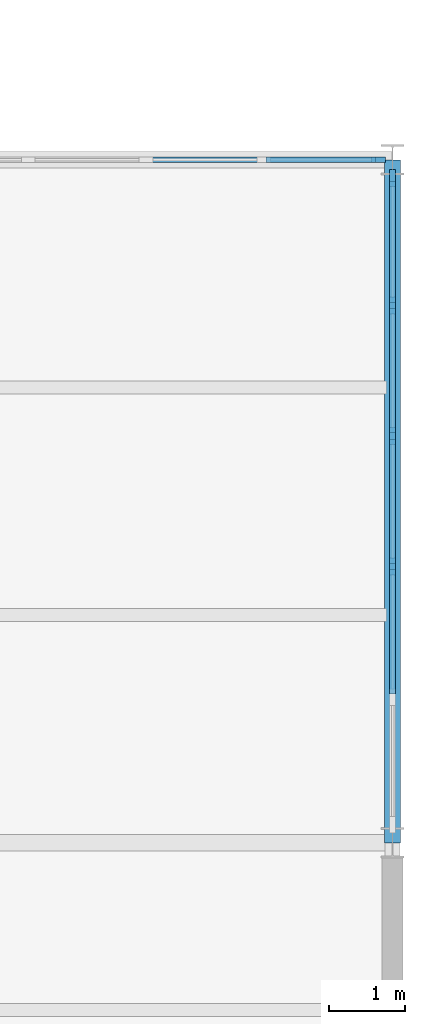
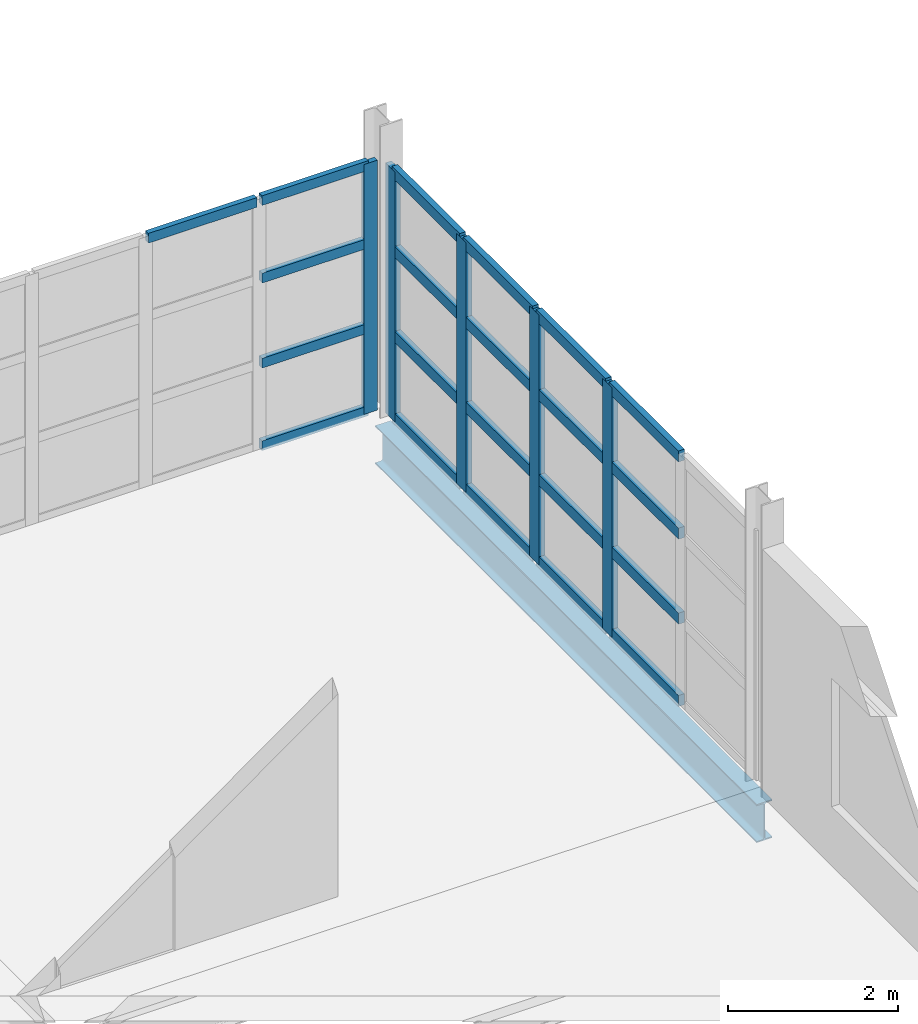
# One storey, part 10 of 38: 26 members, 1 beam, 2 elements without a shape of their own.
"""IFC4 building model written with IfcOpenShell, lengths in metres."""

from ifc_helpers import new_model, si_unit, direction, frame, origin, origin_2d, place, context, subcontext, project, spatial, rectangle, i_section, extrude, material, layer, layer_set, material_profile, profile_set, type_object, element, aggregate, save


model = new_model("IFC4")

# Units and contexts
model_context = context("Model", 3, precision=1e-05, world=origin(), true_north=direction((0.0, 1.0)))
body_context = subcontext(model_context, "Body", "Model", "MODEL_VIEW")
ifc_project = project(units=[si_unit("LENGTHUNIT", "METRE"), si_unit("AREAUNIT", "SQUARE_METRE"), si_unit("VOLUMEUNIT", "CUBIC_METRE"), si_unit("PLANEANGLEUNIT", "RADIAN"), si_unit("MASSUNIT", "GRAM", prefix="KILO")], contexts=[model_context])

# Site, building, storey
site_placement = place(None, origin())
site = spatial("IfcSite", under=ifc_project, at=site_placement, CompositionType="ELEMENT")
building_placement = place(site_placement, origin())
building = spatial("IfcBuilding", under=site, at=building_placement, Name="Zarnetskaya Central Station", CompositionType="ELEMENT")
storey_placement = place(building_placement, frame((0.0, 0.0, 18.60009765625)))
storey = spatial("IfcBuildingStorey", under=building, at=storey_placement, Name="L04", CompositionType="ELEMENT", Elevation=18.60009765625)

# Curtain wall, member
ifc_material_1 = material(Name="Low-E insulated glass", Category="glass")
ifc_layer_1 = layer(ifc_material_1, 0.16796875, Name="Low-E insulated glass", Category="glass")
ifc_layer_set_1 = layer_set([ifc_layer_1], Name="Low-E insulated glass")
curtain_wall_type_1 = type_object("IfcCurtainWallType", Name="CW-SYS-08", PredefinedType="USERDEFINED", material=ifc_layer_set_1)
curtain_wall_1_placement = place(storey_placement, origin())
curtain_wall_1 = element("IfcCurtainWall", 1, at=curtain_wall_1_placement, inside=storey, type_object=curtain_wall_type_1, Name="Curtain wall CW-L04-055", ObjectType="CURTAIN WALL", PredefinedType="USERDEFINED")
ifc_material_2 = material(Name="Anodised aluminium", Category="aluminium")
ifc_material_profile_1 = material_profile(ifc_material_2, rectangle(XDim=0.070068359375, YDim=0.179931640625, at=origin_2d()), Name="ALU MULL 70x180")
ifc_profile_set_1 = profile_set([ifc_material_profile_1], Name="Anodised aluminium")
member_type_1 = type_object("IfcMemberType", Name="CW-MULL-180", PredefinedType="MULLION", material=ifc_profile_set_1)
member_1_placement = place(storey_placement, frame((47.81494140625, 22.199951171875, 0.0), z_axis=(0.0, 0.0, 1.0), x_axis=(0.0, 1.0, 0.0)))
member_1 = element("IfcMember", 2, at=member_1_placement, type_object=member_type_1, Name="CW-16 mullion 7", PredefinedType="MULLION", context=body_context, shape_type="SweptSolid", body=[
    extrude(rectangle(XDim=0.070068359375, YDim=0.179931640625, at=origin_2d()), origin(), (0.0, 0.0, 1.0), 3.599853515625),
])

# Curtain wall, members
ifc_layer_2 = layer(ifc_material_1, 0.159912109375, Name="Low-E insulated glass", Category="glass")
ifc_layer_set_2 = layer_set([ifc_layer_2], Name="Low-E insulated glass")
curtain_wall_type_2 = type_object("IfcCurtainWallType", Name="CW-SYS-06", PredefinedType="USERDEFINED", material=ifc_layer_set_2)
curtain_wall_2_placement = place(storey_placement, origin())
curtain_wall_2 = element("IfcCurtainWall", 3, at=curtain_wall_2_placement, inside=storey, type_object=curtain_wall_type_2, Name="Curtain wall CW-L04-056", ObjectType="CURTAIN WALL", PredefinedType="USERDEFINED")
ifc_material_profile_2 = material_profile(ifc_material_2, rectangle(XDim=0.080078125, YDim=0.219970703125, at=origin_2d()), Name="ALU MULL 80x220")
ifc_profile_set_2 = profile_set([ifc_material_profile_2], Name="Anodised aluminium")
member_type_2 = type_object("IfcMemberType", Name="CW-MULL-220", PredefinedType="MULLION", material=ifc_profile_set_2)
member_2_placement = place(storey_placement, frame((48.0, 21.9599609375, 0.0), z_axis=(0.0, 0.0, 1.0), x_axis=(1.0, 0.0, 0.0)))
member_2 = element("IfcMember", 4, at=member_2_placement, type_object=member_type_2, Name="CW-02 mullion 1", PredefinedType="MULLION", context=body_context, shape_type="SweptSolid", body=[
    extrude(rectangle(XDim=0.080078125, YDim=0.219970703125, at=origin_2d()), origin(), (0.0, 0.0, 1.0), 3.599853515625),
])
member_3_placement = place(storey_placement, frame((48.0, 20.280029296875, 0.0), z_axis=(0.0, 0.0, 1.0), x_axis=(1.0, 0.0, 0.0)))
member_3 = element("IfcMember", 5, at=member_3_placement, type_object=member_type_2, Name="CW-02 mullion 2", PredefinedType="MULLION", context=body_context, shape_type="SweptSolid", body=[
    extrude(rectangle(XDim=0.080078125, YDim=0.219970703125, at=origin_2d()), origin(), (0.0, 0.0, 1.0), 3.599853515625),
])
member_4_placement = place(storey_placement, frame((48.0, 18.56005859375, 0.0), z_axis=(0.0, 0.0, 1.0), x_axis=(1.0, 0.0, 0.0)))
member_4 = element("IfcMember", 6, at=member_4_placement, type_object=member_type_2, Name="CW-02 mullion 3", PredefinedType="MULLION", context=body_context, shape_type="SweptSolid", body=[
    extrude(rectangle(XDim=0.080078125, YDim=0.219970703125, at=origin_2d()), origin(), (0.0, 0.0, 1.0), 3.599853515625),
])
member_5_placement = place(storey_placement, frame((48.0, 16.840087890625, 0.0), z_axis=(0.0, 0.0, 1.0), x_axis=(1.0, 0.0, 0.0)))
member_5 = element("IfcMember", 7, at=member_5_placement, type_object=member_type_2, Name="CW-02 mullion 4", PredefinedType="MULLION", context=body_context, shape_type="SweptSolid", body=[
    extrude(rectangle(XDim=0.080078125, YDim=0.219970703125, at=origin_2d()), origin(), (0.0, 0.0, 1.0), 3.599853515625),
])

# Member
ifc_material_profile_3 = material_profile(ifc_material_2, rectangle(XDim=0.070068359375, YDim=0.139892578125, at=origin_2d()), Name="ALU TRAN 70x140")
ifc_profile_set_3 = profile_set([ifc_material_profile_3], Name="Anodised aluminium")
member_type_3 = type_object("IfcMemberType", Name="CW-TRAN-140", PredefinedType="USERDEFINED", material=ifc_profile_set_3)
member_6_placement = place(storey_placement, frame((44.784912109375, 22.199951171875, 3.56494140625), z_axis=(1.0, 0.0, 0.0), x_axis=(0.0, 1.0, 0.0)))
member_6 = element("IfcMember", 8, at=member_6_placement, type_object=member_type_3, Name="CW-16 transom 5.4", ObjectType="TRANSOM", PredefinedType="USERDEFINED", context=body_context, shape_type="SweptSolid", body=[
    extrude(rectangle(XDim=0.070068359375, YDim=0.139892578125, at=origin_2d()), origin(), (0.0, 0.0, 1.0), 1.47998046875),
])

member_7_placement = place(storey_placement, frame((46.3349609375, 22.199951171875, 0.034912109375), z_axis=(1.0, 0.0, 0.0), x_axis=(0.0, 1.0, 0.0)))
member_7 = element("IfcMember", 9, at=member_7_placement, type_object=member_type_3, Name="CW-16 transom 6.1", ObjectType="TRANSOM", PredefinedType="USERDEFINED", context=body_context, shape_type="SweptSolid", body=[
    extrude(rectangle(XDim=0.070068359375, YDim=0.139892578125, at=origin_2d()), origin(), (0.0, 0.0, 1.0), 1.445068359375),
])

member_8_placement = place(storey_placement, frame((46.3349609375, 22.199951171875, 1.223876953125), z_axis=(1.0, 0.0, 0.0), x_axis=(0.0, 1.0, 0.0)))
member_8 = element("IfcMember", 10, at=member_8_placement, type_object=member_type_3, Name="CW-16 transom 6.2", ObjectType="TRANSOM", PredefinedType="USERDEFINED", context=body_context, shape_type="SweptSolid", body=[
    extrude(rectangle(XDim=0.070068359375, YDim=0.139892578125, at=origin_2d()), origin(), (0.0, 0.0, 1.0), 1.445068359375),
])

member_9_placement = place(storey_placement, frame((46.3349609375, 22.199951171875, 2.447998046875), z_axis=(1.0, 0.0, 0.0), x_axis=(0.0, 1.0, 0.0)))
member_9 = element("IfcMember", 11, at=member_9_placement, type_object=member_type_3, Name="CW-16 transom 6.3", ObjectType="TRANSOM", PredefinedType="USERDEFINED", context=body_context, shape_type="SweptSolid", body=[
    extrude(rectangle(XDim=0.070068359375, YDim=0.139892578125, at=origin_2d()), origin(), (0.0, 0.0, 1.0), 1.445068359375),
])

member_10_placement = place(storey_placement, frame((46.3349609375, 22.199951171875, 3.56494140625), z_axis=(1.0, 0.0, 0.0), x_axis=(0.0, 1.0, 0.0)))
member_10 = element("IfcMember", 12, at=member_10_placement, type_object=member_type_3, Name="CW-16 transom 6.4", ObjectType="TRANSOM", PredefinedType="USERDEFINED", context=body_context, shape_type="SweptSolid", body=[
    extrude(rectangle(XDim=0.070068359375, YDim=0.139892578125, at=origin_2d()), origin(), (0.0, 0.0, 1.0), 1.445068359375),
])

aggregate(curtain_wall_1, [member_1, member_6, member_7, member_8, member_9, member_10])

ifc_material_profile_4 = material_profile(ifc_material_2, rectangle(XDim=0.080078125, YDim=0.159912109375, at=origin_2d()), Name="ALU TRAN 80x160")
ifc_profile_set_4 = profile_set([ifc_material_profile_4], Name="Anodised aluminium")
member_type_4 = type_object("IfcMemberType", Name="CW-TRAN-160", PredefinedType="USERDEFINED", material=ifc_profile_set_4)
member_11_placement = place(storey_placement, frame((48.0, 21.919921875, 0.039794921875), z_axis=(0.0, -1.0, 0.0), x_axis=(1.0, 0.0, 0.0)))
member_11 = element("IfcMember", 13, at=member_11_placement, type_object=member_type_4, Name="CW-02 transom 1.1", ObjectType="TRANSOM", PredefinedType="USERDEFINED", context=body_context, shape_type="SweptSolid", body=[
    extrude(rectangle(XDim=0.080078125, YDim=0.159912109375, at=origin_2d()), origin(), (0.0, 0.0, 1.0), 1.599853515625),
])

member_12_placement = place(storey_placement, frame((48.0, 21.919921875, 1.223876953125), z_axis=(0.0, -1.0, 0.0), x_axis=(1.0, 0.0, 0.0)))
member_12 = element("IfcMember", 14, at=member_12_placement, type_object=member_type_4, Name="CW-02 transom 1.2", ObjectType="TRANSOM", PredefinedType="USERDEFINED", context=body_context, shape_type="SweptSolid", body=[
    extrude(rectangle(XDim=0.080078125, YDim=0.159912109375, at=origin_2d()), origin(), (0.0, 0.0, 1.0), 1.599853515625),
])

member_13_placement = place(storey_placement, frame((48.0, 21.919921875, 2.447998046875), z_axis=(0.0, -1.0, 0.0), x_axis=(1.0, 0.0, 0.0)))
member_13 = element("IfcMember", 15, at=member_13_placement, type_object=member_type_4, Name="CW-02 transom 1.3", ObjectType="TRANSOM", PredefinedType="USERDEFINED", context=body_context, shape_type="SweptSolid", body=[
    extrude(rectangle(XDim=0.080078125, YDim=0.159912109375, at=origin_2d()), origin(), (0.0, 0.0, 1.0), 1.599853515625),
])

member_14_placement = place(storey_placement, frame((48.0, 21.919921875, 3.559814453125), z_axis=(0.0, -1.0, 0.0), x_axis=(1.0, 0.0, 0.0)))
member_14 = element("IfcMember", 16, at=member_14_placement, type_object=member_type_4, Name="CW-02 transom 1.4", ObjectType="TRANSOM", PredefinedType="USERDEFINED", context=body_context, shape_type="SweptSolid", body=[
    extrude(rectangle(XDim=0.080078125, YDim=0.159912109375, at=origin_2d()), origin(), (0.0, 0.0, 1.0), 1.599853515625),
])

member_15_placement = place(storey_placement, frame((48.0, 20.239990234375, 0.039794921875), z_axis=(0.0, -1.0, 0.0), x_axis=(1.0, 0.0, 0.0)))
member_15 = element("IfcMember", 17, at=member_15_placement, type_object=member_type_4, Name="CW-02 transom 2.1", ObjectType="TRANSOM", PredefinedType="USERDEFINED", context=body_context, shape_type="SweptSolid", body=[
    extrude(rectangle(XDim=0.080078125, YDim=0.159912109375, at=origin_2d()), origin(), (0.0, 0.0, 1.0), 1.639892578125),
])

member_16_placement = place(storey_placement, frame((48.0, 20.239990234375, 1.223876953125), z_axis=(0.0, -1.0, 0.0), x_axis=(1.0, 0.0, 0.0)))
member_16 = element("IfcMember", 18, at=member_16_placement, type_object=member_type_4, Name="CW-02 transom 2.2", ObjectType="TRANSOM", PredefinedType="USERDEFINED", context=body_context, shape_type="SweptSolid", body=[
    extrude(rectangle(XDim=0.080078125, YDim=0.159912109375, at=origin_2d()), origin(), (0.0, 0.0, 1.0), 1.639892578125),
])

member_17_placement = place(storey_placement, frame((48.0, 20.239990234375, 2.447998046875), z_axis=(0.0, -1.0, 0.0), x_axis=(1.0, 0.0, 0.0)))
member_17 = element("IfcMember", 19, at=member_17_placement, type_object=member_type_4, Name="CW-02 transom 2.3", ObjectType="TRANSOM", PredefinedType="USERDEFINED", context=body_context, shape_type="SweptSolid", body=[
    extrude(rectangle(XDim=0.080078125, YDim=0.159912109375, at=origin_2d()), origin(), (0.0, 0.0, 1.0), 1.639892578125),
])

member_18_placement = place(storey_placement, frame((48.0, 20.239990234375, 3.559814453125), z_axis=(0.0, -1.0, 0.0), x_axis=(1.0, 0.0, 0.0)))
member_18 = element("IfcMember", 20, at=member_18_placement, type_object=member_type_4, Name="CW-02 transom 2.4", ObjectType="TRANSOM", PredefinedType="USERDEFINED", context=body_context, shape_type="SweptSolid", body=[
    extrude(rectangle(XDim=0.080078125, YDim=0.159912109375, at=origin_2d()), origin(), (0.0, 0.0, 1.0), 1.639892578125),
])

member_19_placement = place(storey_placement, frame((48.0, 18.52001953125, 0.039794921875), z_axis=(0.0, -1.0, 0.0), x_axis=(1.0, 0.0, 0.0)))
member_19 = element("IfcMember", 21, at=member_19_placement, type_object=member_type_4, Name="CW-02 transom 3.1", ObjectType="TRANSOM", PredefinedType="USERDEFINED", context=body_context, shape_type="SweptSolid", body=[
    extrude(rectangle(XDim=0.080078125, YDim=0.159912109375, at=origin_2d()), origin(), (0.0, 0.0, 1.0), 1.64013671875),
])

member_20_placement = place(storey_placement, frame((48.0, 18.52001953125, 1.223876953125), z_axis=(0.0, -1.0, 0.0), x_axis=(1.0, 0.0, 0.0)))
member_20 = element("IfcMember", 22, at=member_20_placement, type_object=member_type_4, Name="CW-02 transom 3.2", ObjectType="TRANSOM", PredefinedType="USERDEFINED", context=body_context, shape_type="SweptSolid", body=[
    extrude(rectangle(XDim=0.080078125, YDim=0.159912109375, at=origin_2d()), origin(), (0.0, 0.0, 1.0), 1.64013671875),
])

member_21_placement = place(storey_placement, frame((48.0, 18.52001953125, 2.447998046875), z_axis=(0.0, -1.0, 0.0), x_axis=(1.0, 0.0, 0.0)))
member_21 = element("IfcMember", 23, at=member_21_placement, type_object=member_type_4, Name="CW-02 transom 3.3", ObjectType="TRANSOM", PredefinedType="USERDEFINED", context=body_context, shape_type="SweptSolid", body=[
    extrude(rectangle(XDim=0.080078125, YDim=0.159912109375, at=origin_2d()), origin(), (0.0, 0.0, 1.0), 1.64013671875),
])

member_22_placement = place(storey_placement, frame((48.0, 18.52001953125, 3.559814453125), z_axis=(0.0, -1.0, 0.0), x_axis=(1.0, 0.0, 0.0)))
member_22 = element("IfcMember", 24, at=member_22_placement, type_object=member_type_4, Name="CW-02 transom 3.4", ObjectType="TRANSOM", PredefinedType="USERDEFINED", context=body_context, shape_type="SweptSolid", body=[
    extrude(rectangle(XDim=0.080078125, YDim=0.159912109375, at=origin_2d()), origin(), (0.0, 0.0, 1.0), 1.64013671875),
])

member_23_placement = place(storey_placement, frame((48.0, 16.800048828125, 0.039794921875), z_axis=(0.0, -1.0, 0.0), x_axis=(1.0, 0.0, 0.0)))
member_23 = element("IfcMember", 25, at=member_23_placement, type_object=member_type_4, Name="CW-02 transom 4.1", ObjectType="TRANSOM", PredefinedType="USERDEFINED", context=body_context, shape_type="SweptSolid", body=[
    extrude(rectangle(XDim=0.080078125, YDim=0.159912109375, at=origin_2d()), origin(), (0.0, 0.0, 1.0), 1.64013671875),
])

member_24_placement = place(storey_placement, frame((48.0, 16.800048828125, 1.223876953125), z_axis=(0.0, -1.0, 0.0), x_axis=(1.0, 0.0, 0.0)))
member_24 = element("IfcMember", 26, at=member_24_placement, type_object=member_type_4, Name="CW-02 transom 4.2", ObjectType="TRANSOM", PredefinedType="USERDEFINED", context=body_context, shape_type="SweptSolid", body=[
    extrude(rectangle(XDim=0.080078125, YDim=0.159912109375, at=origin_2d()), origin(), (0.0, 0.0, 1.0), 1.64013671875),
])

member_25_placement = place(storey_placement, frame((48.0, 16.800048828125, 2.447998046875), z_axis=(0.0, -1.0, 0.0), x_axis=(1.0, 0.0, 0.0)))
member_25 = element("IfcMember", 27, at=member_25_placement, type_object=member_type_4, Name="CW-02 transom 4.3", ObjectType="TRANSOM", PredefinedType="USERDEFINED", context=body_context, shape_type="SweptSolid", body=[
    extrude(rectangle(XDim=0.080078125, YDim=0.159912109375, at=origin_2d()), origin(), (0.0, 0.0, 1.0), 1.64013671875),
])

member_26_placement = place(storey_placement, frame((48.0, 16.800048828125, 3.559814453125), z_axis=(0.0, -1.0, 0.0), x_axis=(1.0, 0.0, 0.0)))
member_26 = element("IfcMember", 28, at=member_26_placement, type_object=member_type_4, Name="CW-02 transom 4.4", ObjectType="TRANSOM", PredefinedType="USERDEFINED", context=body_context, shape_type="SweptSolid", body=[
    extrude(rectangle(XDim=0.080078125, YDim=0.159912109375, at=origin_2d()), origin(), (0.0, 0.0, 1.0), 1.64013671875),
])

aggregate(curtain_wall_2, [member_2, member_3, member_4, member_5, member_11, member_12, member_13, member_14, member_15, member_16, member_17, member_18, member_19, member_20, member_21, member_22, member_23, member_24, member_25, member_26])

# Beam
ifc_material_3 = material(Name="Steel S355", Category="steel")
ifc_material_profile_5 = material_profile(ifc_material_3, i_section(OverallWidth=0.2099609375, OverallDepth=0.550048828125, WebThickness=0.010986328125, FlangeThickness=0.01708984375, FilletRadius=0.02392578125, at=origin_2d()), Name="IPE 550")
ifc_profile_set_5 = profile_set([ifc_material_profile_5], Name="Steel S355")
beam_type = type_object("IfcBeamType", Name="GD-FLR-550", PredefinedType="USERDEFINED", material=ifc_profile_set_5)
beam_placement = place(storey_placement, frame((48.0, 13.199951171875, -0.51513671875), z_axis=(0.0, 1.0, 0.0), x_axis=(-1.0, 0.0, 0.0)))
element("IfcBeam", 29, at=beam_placement, inside=storey, type_object=beam_type, Name="Grid girder GY-L04-F-34", ObjectType="GIRDER", PredefinedType="USERDEFINED", context=body_context, shape_type="SweptSolid", body=[
    extrude(i_section(OverallWidth=0.2099609375, OverallDepth=0.550048828125, WebThickness=0.010986328125, FlangeThickness=0.01708984375, FilletRadius=0.02392578125, at=origin_2d()), origin(), (0.0, 0.0, 1.0), 9.0),
])

save(model, "model.ifc")
